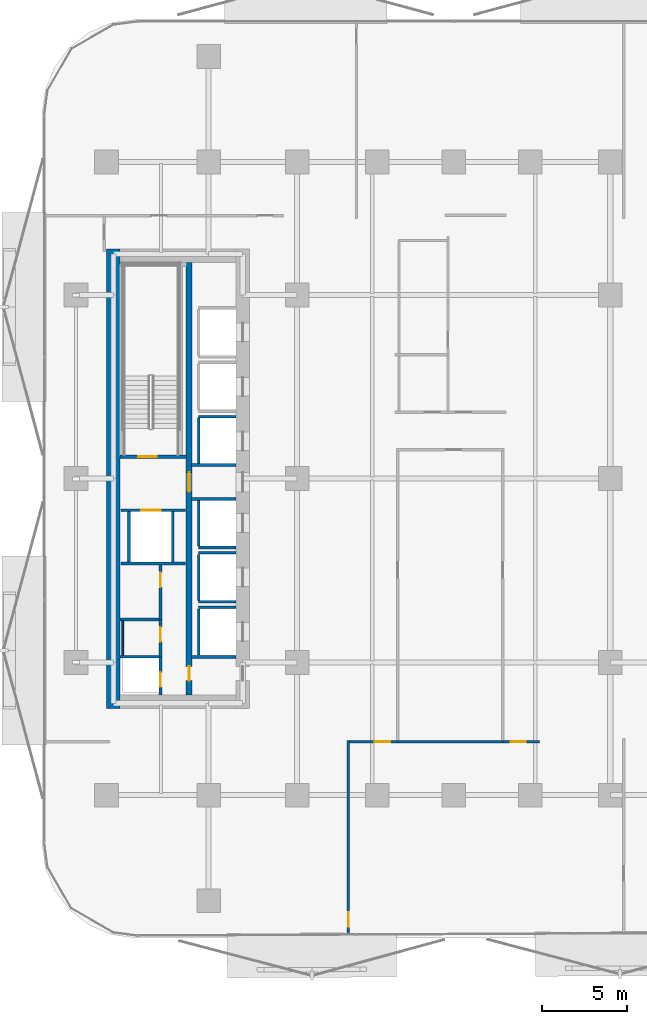
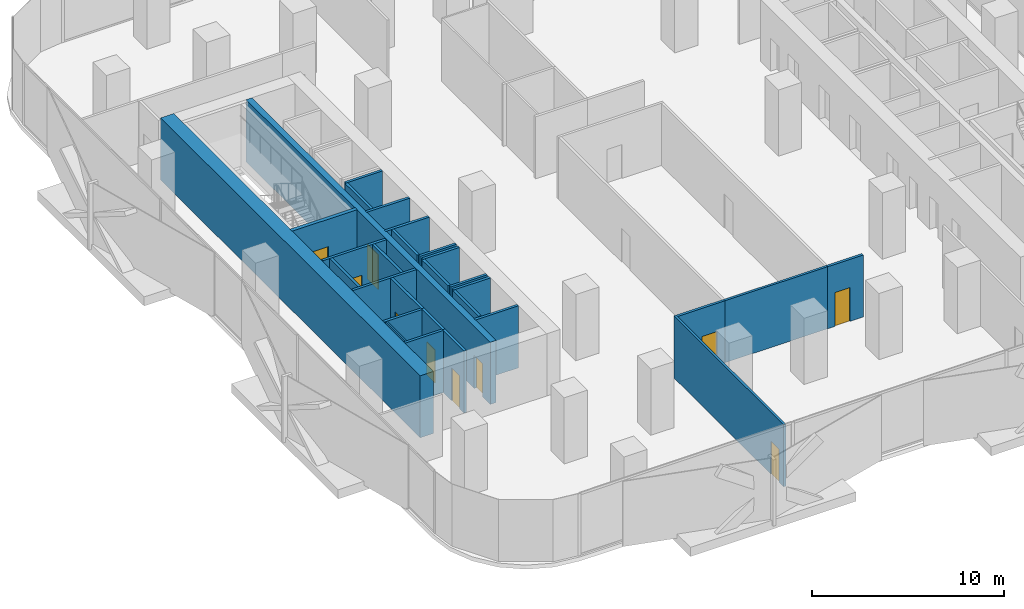
# One storey, part 3 of 16: 29 walls, 10 doors, 10 openings.
"""IFC4 building model written with IfcOpenShell, lengths in metres."""

from ifc_helpers import new_model, si_unit, direction, frame, frame_2d, origin, place, context, subcontext, project, spatial, rectangle, extrude, material, layer, layer_set, type_object, element, fill, save


model = new_model("IFC4")

# Units and contexts
model_context = context("Model", 3, precision=1e-05, world=origin(), true_north=direction((0.0, 1.0)))
body_context = subcontext(model_context, "Body", "Model", "MODEL_VIEW")
ifc_project = project(units=[si_unit("LENGTHUNIT", "METRE"), si_unit("AREAUNIT", "SQUARE_METRE"), si_unit("VOLUMEUNIT", "CUBIC_METRE"), si_unit("PLANEANGLEUNIT", "RADIAN"), si_unit("MASSUNIT", "GRAM", prefix="KILO")], contexts=[model_context])

# Site, building, storey
site_placement = place(None, origin())
site = spatial("IfcSite", under=ifc_project, at=site_placement, CompositionType="ELEMENT")
building_placement = place(site_placement, origin())
building = spatial("IfcBuilding", under=site, at=building_placement, Name="Khairoan Windgate Tower", CompositionType="ELEMENT")
storey_placement = place(building_placement, frame((0.0, 0.0, 42.800048828125)))
storey = spatial("IfcBuildingStorey", under=building, at=storey_placement, Name="L10", CompositionType="ELEMENT", Elevation=42.800048828125)

# Walls
ifc_material_1 = material(Name="Moisture-Resistant Gypsum Partition", Category="gypsum")
ifc_layer_1 = layer(ifc_material_1, 0.10009765625, Name="Moisture-Resistant Gypsum Partition")
ifc_layer_set_1 = layer_set([ifc_layer_1], Name="Moisture-Resistant Gypsum Partition")
wall_type_1 = type_object("IfcWallType", Name="Bathroom Wet-Area Partition Wall", PredefinedType="PARTITIONING", material=ifc_layer_set_1)
wall_1_placement = place(storey_placement, frame((-19.449951171875, -10.389892578125, 0.0), z_axis=(0.0, 0.0, 1.0), x_axis=(0.0, 1.0, 0.0)))
element("IfcWall", 1, at=wall_1_placement, inside=storey, type_object=wall_type_1, Name="L10 Wet Room Side Wall 038", PredefinedType="PARTITIONING", context=body_context, shape_type="SweptSolid", body=[
    extrude(rectangle(XDim=2.039794921875, YDim=0.10009765625, at=frame_2d((1.02001953125, 0.0))), origin(), (0.0, 0.0, 1.0), 3.93994140625),
])
ifc_material_2 = material(Name="Concrete C40/50", Category="concrete")
ifc_layer_2 = layer(ifc_material_2, 0.159912109375, Name="Concrete C40/50")
ifc_layer_set_2 = layer_set([ifc_layer_2], Name="Concrete C40/50")
wall_type_2 = type_object("IfcWallType", Name="Core and Hoistway Enclosure Wall", PredefinedType="STANDARD", material=ifc_layer_set_2)
wall_2_placement = place(storey_placement, frame((-14.989990234375, 3.639892578125, 0.0), z_axis=(0.0, 0.0, 1.0), x_axis=(1.0, 0.0, 0.0)))
element("IfcWall", 2, at=wall_2_placement, inside=storey, type_object=wall_type_2, Name="L10 Lift PL3 Hoistway Divider N", PredefinedType="STANDARD", context=body_context, shape_type="SweptSolid", body=[
    extrude(rectangle(XDim=2.18994140625, YDim=0.159912109375, at=frame_2d((1.094970703125, 0.0))), origin(), (0.0, 0.0, 1.0), 3.93994140625),
])
wall_3_placement = place(storey_placement, frame((-14.989990234375, 0.85009765625, 0.0), z_axis=(0.0, 0.0, 1.0), x_axis=(0.0, 1.0, 0.0)))
element("IfcWall", 3, at=wall_3_placement, inside=storey, type_object=wall_type_2, Name="L10 Lift PL3 Hoistway Back Wall", PredefinedType="STANDARD", context=body_context, shape_type="SweptSolid", body=[
    extrude(rectangle(XDim=2.699951171875, YDim=0.159912109375, at=frame_2d((1.35009765625, 0.0))), origin(), (0.0, 0.0, 1.0), 3.93994140625),
])
wall_4_placement = place(storey_placement, frame((-14.989990234375, -4.0400390625, 0.0), z_axis=(0.0, 0.0, 1.0), x_axis=(1.0, 0.0, 0.0)))
element("IfcWall", 4, at=wall_4_placement, inside=storey, type_object=wall_type_2, Name="L10 Lift PL4 Hoistway Divider S", PredefinedType="STANDARD", context=body_context, shape_type="SweptSolid", body=[
    extrude(rectangle(XDim=2.18994140625, YDim=0.159912109375, at=frame_2d((1.094970703125, 0.0))), origin(), (0.0, 0.0, 1.0), 3.93994140625),
])
wall_5_placement = place(storey_placement, frame((-14.989990234375, -3.949951171875, 0.0), z_axis=(0.0, 0.0, 1.0), x_axis=(0.0, 1.0, 0.0)))
element("IfcWall", 5, at=wall_5_placement, inside=storey, type_object=wall_type_2, Name="L10 Lift PL4 Hoistway Back Wall", PredefinedType="STANDARD", context=body_context, shape_type="SweptSolid", body=[
    extrude(rectangle(XDim=2.699951171875, YDim=0.159912109375, at=frame_2d((1.35009765625, 0.0))), origin(), (0.0, 0.0, 1.0), 3.93994140625),
])
for number, where, z_axis, x_axis, name in (
    (6, (-14.989990234375, -7.239990234375, 0.0), (0.0, 0.0, 1.0), (1.0, 0.0, 0.0), "L10 Lift PL5 Hoistway Divider S"),
    (7, (-14.989990234375, -4.360107421875, 0.0), (0.0, 0.0, 1.0), (1.0, 0.0, 0.0), "L10 Lift PL5 Hoistway Divider N"),
):
    element("IfcWall", number, at=place(storey_placement, frame(where, z_axis=z_axis, x_axis=x_axis)), inside=storey, type_object=wall_type_2, Name=name, PredefinedType="STANDARD", context=body_context, shape_type="SweptSolid", body=[
        extrude(rectangle(XDim=2.18994140625, YDim=0.159912109375, at=frame_2d((1.094970703125, 0.0))), origin(), (0.0, 0.0, 1.0), 3.93994140625),
    ])
wall_6_placement = place(storey_placement, frame((-14.989990234375, -7.14990234375, 0.0), z_axis=(0.0, 0.0, 1.0), x_axis=(0.0, 1.0, 0.0)))
element("IfcWall", 8, at=wall_6_placement, inside=storey, type_object=wall_type_2, Name="L10 Lift PL5 Hoistway Back Wall", PredefinedType="STANDARD", context=body_context, shape_type="SweptSolid", body=[
    extrude(rectangle(XDim=2.699951171875, YDim=0.159912109375, at=frame_2d((1.35009765625, 0.0))), origin(), (0.0, 0.0, 1.0), 3.93994140625),
])
wall_7_placement = place(storey_placement, frame((-14.989990234375, -7.56005859375, 0.0), z_axis=(0.0, 0.0, 1.0), x_axis=(1.0, 0.0, 0.0)))
element("IfcWall", 9, at=wall_7_placement, inside=storey, type_object=wall_type_2, Name="L10 Lift PL6 Hoistway Divider N", PredefinedType="STANDARD", context=body_context, shape_type="SweptSolid", body=[
    extrude(rectangle(XDim=2.18994140625, YDim=0.159912109375, at=frame_2d((1.094970703125, 0.0))), origin(), (0.0, 0.0, 1.0), 3.93994140625),
])
wall_8_placement = place(storey_placement, frame((-14.989990234375, -10.35009765625, 0.0), z_axis=(0.0, 0.0, 1.0), x_axis=(0.0, 1.0, 0.0)))
element("IfcWall", 10, at=wall_8_placement, inside=storey, type_object=wall_type_2, Name="L10 Lift PL6 Hoistway Back Wall", PredefinedType="STANDARD", context=body_context, shape_type="SweptSolid", body=[
    extrude(rectangle(XDim=2.7001953125, YDim=0.159912109375, at=frame_2d((1.35009765625, 0.0))), origin(), (0.0, 0.0, 1.0), 3.93994140625),
])

# Wall, opening, door
wall_9_placement = place(storey_placement, frame((-19.550048828125, -1.860107421875, 0.0), z_axis=(0.0, 0.0, 1.0), x_axis=(1.0, 0.0, 0.0)))
wall_9 = element("IfcWall", 11, at=wall_9_placement, inside=storey, type_object=wall_type_2, Name="L10 Core Shaft Wall SW-FL2-L10", PredefinedType="STANDARD", context=body_context, shape_type="SweptSolid", body=[
    extrude(rectangle(XDim=3.800048828125, YDim=0.159912109375, at=frame_2d((1.89990234375, 0.0))), origin(), (0.0, 0.0, 1.0), 3.93994140625),
])
opening_1_placement = place(wall_9_placement, frame((1.179931640625, 0.0, 0.0)))
opening_1 = element("IfcOpeningElement", 12, at=opening_1_placement, cuts=wall_9, Name="Opening LD-FL", PredefinedType="OPENING", context=body_context, shape_type="SweptSolid", body=[
    extrude(rectangle(XDim=1.14990234375, YDim=2.199951171875, at=frame_2d((0.574951171875, 1.10009765625))), frame((0.0, 0.08984375, 0.0), z_axis=(0.0, -1.0, 0.0), x_axis=(1.0, 0.0, 0.0)), (0.0, 0.0, 1.0), 0.179931640625),
])
ifc_material_3 = material(Name="Steel S355", Category="steel")
door_type_1 = type_object("IfcDoorType", Name="Firefighting Lift Sliding Landing Door LD-FL 1150x2200", OperationType="DOUBLE_DOOR_SLIDING", PredefinedType="DOOR", material=ifc_material_3)
door_1_placement = place(opening_1_placement, origin())
door_1 = element("IfcDoor", 13, at=door_1_placement, inside=storey, type_object=door_type_1, Name="L10 Firefighting Lift FL2 Landing Door", OperationType="DOUBLE_DOOR_SLIDING", OverallHeight=2.199951171875, OverallWidth=1.14990234375, PredefinedType="DOOR", context=body_context, shape_type="SweptSolid", body=[
    extrude(rectangle(XDim=1.14990234375, YDim=2.199951171875, at=frame_2d((0.574951171875, 1.10009765625))), frame((0.0, 0.02490234375, 0.0), z_axis=(0.0, -1.0, 0.0), x_axis=(1.0, 0.0, 0.0)), (0.0, 0.0, 1.0), 0.050048828125),
])
fill(opening_1, door_1)

# Walls
wall_10_placement = place(storey_placement, frame((-19.550048828125, -4.97998046875, 0.0), z_axis=(0.0, 0.0, 1.0), x_axis=(1.0, 0.0, 0.0)))
element("IfcWall", 14, at=wall_10_placement, inside=storey, type_object=wall_type_2, Name="L10 Core Shaft Wall SW-FL2B-L10", PredefinedType="STANDARD", context=body_context, shape_type="SweptSolid", body=[
    extrude(rectangle(XDim=3.800048828125, YDim=0.159912109375, at=frame_2d((1.89990234375, 0.0))), origin(), (0.0, 0.0, 1.0), 3.93994140625),
])
for number, where, z_axis, x_axis, name in (
    (15, (-19.080078125, -4.89990234375, 0.0), (0.0, 0.0, 1.0), (0.0, 1.0, 0.0), "L10 Core Shaft Wall SW-FL2W-L10"),
    (16, (-16.52001953125, -4.89990234375, 0.0), (0.0, 0.0, 1.0), (0.0, 1.0, 0.0), "L10 Core Shaft Wall SW-FL2E-L10"),
):
    element("IfcWall", number, at=place(storey_placement, frame(where, z_axis=z_axis, x_axis=x_axis)), inside=storey, type_object=wall_type_2, Name=name, PredefinedType="STANDARD", context=body_context, shape_type="SweptSolid", body=[
        extrude(rectangle(XDim=2.9599609375, YDim=0.159912109375, at=frame_2d((1.47998046875, 0.0))), origin(), (0.0, 0.0, 1.0), 3.93994140625),
    ])
for number, where, z_axis, x_axis, name in (
    (17, (-15.39990234375, 0.800048828125, 0.0), (0.0, 0.0, 1.0), (1.0, 0.0, 0.0), "L10 Core Shaft Wall SW-WV1-L10"),
    (18, (-15.39990234375, -1.199951171875, 0.0), (0.0, 0.0, 1.0), (1.0, 0.0, 0.0), "L10 Core Shaft Wall SW-WV2-L10"),
    (19, (-15.39990234375, -10.47998046875, 0.0), (0.0, 0.0, 1.0), (1.0, 0.0, 0.0), "L10 Core Shaft Wall SW-WSV-L10"),
):
    element("IfcWall", number, at=place(storey_placement, frame(where, z_axis=z_axis, x_axis=x_axis)), inside=storey, type_object=wall_type_2, Name=name, PredefinedType="STANDARD", context=body_context, shape_type="SweptSolid", body=[
        extrude(rectangle(XDim=2.599853515625, YDim=0.159912109375, at=frame_2d((1.2998046875, 0.0))), origin(), (0.0, 0.0, 1.0), 3.93994140625),
    ])

# Wall, opening, door
ifc_material_4 = material(Name="Acoustic Fire-Rated Gypsum Partition", Category="gypsum")
ifc_layer_3 = layer(ifc_material_4, 0.139892578125, Name="Acoustic Fire-Rated Gypsum Partition")
ifc_layer_set_3 = layer_set([ifc_layer_3], Name="Acoustic Fire-Rated Gypsum Partition")
wall_type_3 = type_object("IfcWallType", Name="Inter-Tenancy Compartment Wall", PredefinedType="PARTITIONING", material=ifc_layer_set_3)
wall_11_placement = place(storey_placement, frame((-6.18798828125, -26.794921875, 0.0), z_axis=(0.0, 0.0, 1.0), x_axis=(0.0, 1.0, 0.0)))
wall_11 = element("IfcWall", 20, at=wall_11_placement, inside=storey, type_object=wall_type_3, Name="L10 Interior Partition 032", PredefinedType="PARTITIONING", context=body_context, shape_type="SweptSolid", body=[
    extrude(rectangle(XDim=11.409912109375, YDim=0.139892578125, at=frame_2d((5.705078125, 0.0))), origin(), (0.0, 0.0, 1.0), 3.93994140625),
])
opening_2_placement = place(wall_11_placement, frame((0.4599609375, 0.0, 0.0)))
opening_2 = element("IfcOpeningElement", 21, at=opening_2_placement, cuts=wall_11, Name="Opening FD-SRV", PredefinedType="OPENING", context=body_context, shape_type="SweptSolid", body=[
    extrude(rectangle(XDim=0.85009765625, YDim=2.10009765625, at=frame_2d((0.425048828125, 1.050048828125))), frame((0.0, 0.079833984375, 0.0), z_axis=(0.0, -1.0, 0.0), x_axis=(1.0, 0.0, 0.0)), (0.0, 0.0, 1.0), 0.159912109375),
])
ifc_material_5 = material(Name="Steel S355", Category="steel")
door_type_2 = type_object("IfcDoorType", Name="Core Service and Riser Fire Door FD-SRV 850x2100", OperationType="NOTDEFINED", PredefinedType="DOOR", material=ifc_material_5)
door_2_placement = place(opening_2_placement, origin())
door_2 = element("IfcDoor", 22, at=door_2_placement, inside=storey, type_object=door_type_2, Name="L10 L10-44-L10-45 Door", OperationType="SINGLE_SWING_LEFT", OverallHeight=2.10009765625, OverallWidth=0.85009765625, PredefinedType="DOOR", context=body_context, shape_type="SweptSolid", body=[
    extrude(rectangle(XDim=0.85009765625, YDim=2.10009765625, at=frame_2d((0.425048828125, 1.050048828125))), frame((0.0, 0.02490234375, 0.0), z_axis=(0.0, -1.0, 0.0), x_axis=(1.0, 0.0, 0.0)), (0.0, 0.0, 1.0), 0.050048828125),
])
fill(opening_2, door_2)

# Wall
wall_12_placement = place(storey_placement, frame((-3.284912109375, -15.4599609375, 0.0), z_axis=(0.0, 0.0, 1.0), x_axis=(1.0, 0.0, 0.0)))
element("IfcWall", 23, at=wall_12_placement, inside=storey, type_object=wall_type_3, Name="L10 Interior Partition 034", PredefinedType="PARTITIONING", context=body_context, shape_type="SweptSolid", body=[
    extrude(rectangle(XDim=6.169921875, YDim=0.139892578125, at=frame_2d((3.0849609375, 0.0))), origin(), (0.0, 0.0, 1.0), 3.93994140625),
])

# Wall, opening, door
ifc_material_6 = material(Name="Concrete C40/50", Category="concrete")
ifc_layer_4 = layer(ifc_material_6, 0.159912109375, Name="Concrete C40/50")
ifc_layer_set_4 = layer_set([ifc_layer_4], Name="Concrete C40/50")
wall_type_4 = type_object("IfcWallType", Name="Plant and Refuge Compartment Wall", PredefinedType="PARTITIONING", material=ifc_layer_set_4)
wall_13_placement = place(storey_placement, frame((-17.22998046875, -12.699951171875, 0.0), z_axis=(0.0, 0.0, 1.0), x_axis=(0.0, 1.0, 0.0)))
wall_13 = element("IfcWall", 24, at=wall_13_placement, inside=storey, type_object=wall_type_4, Name="L10 Interior Partition 001", PredefinedType="PARTITIONING", context=body_context, shape_type="SweptSolid", body=[
    extrude(rectangle(XDim=2.22998046875, YDim=0.159912109375, at=frame_2d((1.114990234375, 0.0))), origin(), (0.0, 0.0, 1.0), 3.93994140625),
])
opening_3_placement = place(wall_13_placement, frame((0.4599609375, 0.0, 0.0)))
opening_3 = element("IfcOpeningElement", 25, at=opening_3_placement, cuts=wall_13, Name="Opening FD-SRV", PredefinedType="OPENING", context=body_context, shape_type="SweptSolid", body=[
    extrude(rectangle(XDim=0.85009765625, YDim=2.10009765625, at=frame_2d((0.425048828125, 1.050048828125))), frame((0.0, 0.08984375, 0.0), z_axis=(0.0, -1.0, 0.0), x_axis=(1.0, 0.0, 0.0)), (0.0, 0.0, 1.0), 0.179931640625),
])
door_3_placement = place(opening_3_placement, origin())
door_3 = element("IfcDoor", 26, at=door_3_placement, inside=storey, type_object=door_type_2, Name="L10 L10-04-L10-05 Door", OperationType="SINGLE_SWING_RIGHT", OverallHeight=2.10009765625, OverallWidth=0.85009765625, PredefinedType="DOOR", context=body_context, shape_type="SweptSolid", body=[
    extrude(rectangle(XDim=0.85009765625, YDim=2.10009765625, at=frame_2d((0.425048828125, 1.050048828125))), frame((0.0, 0.02490234375, 0.0), z_axis=(0.0, -1.0, 0.0), x_axis=(1.0, 0.0, 0.0)), (0.0, 0.0, 1.0), 0.050048828125),
])
fill(opening_3, door_3)

wall_14_placement = place(storey_placement, frame((-17.22998046875, -10.469970703125, 0.0), z_axis=(0.0, 0.0, 1.0), x_axis=(0.0, 1.0, 0.0)))
wall_14 = element("IfcWall", 27, at=wall_14_placement, inside=storey, type_object=wall_type_4, Name="L10 Interior Partition 002", PredefinedType="PARTITIONING", context=body_context, shape_type="SweptSolid", body=[
    extrude(rectangle(XDim=2.199951171875, YDim=0.159912109375, at=frame_2d((1.10009765625, 0.0))), origin(), (0.0, 0.0, 1.0), 3.93994140625),
])
opening_4_placement = place(wall_14_placement, frame((0.889892578125, 0.0, 0.0)))
opening_4 = element("IfcOpeningElement", 28, at=opening_4_placement, cuts=wall_14, Name="Opening FD-SRV", PredefinedType="OPENING", context=body_context, shape_type="SweptSolid", body=[
    extrude(rectangle(XDim=0.85009765625, YDim=2.10009765625, at=frame_2d((0.425048828125, 1.050048828125))), frame((0.0, 0.08984375, 0.0), z_axis=(0.0, -1.0, 0.0), x_axis=(1.0, 0.0, 0.0)), (0.0, 0.0, 1.0), 0.179931640625),
])
door_4_placement = place(opening_4_placement, origin())
door_4 = element("IfcDoor", 29, at=door_4_placement, inside=storey, type_object=door_type_2, Name="L10 L10-04-L10-06 Door", OperationType="SINGLE_SWING_LEFT", OverallHeight=2.10009765625, OverallWidth=0.85009765625, PredefinedType="DOOR", context=body_context, shape_type="SweptSolid", body=[
    extrude(rectangle(XDim=0.85009765625, YDim=2.10009765625, at=frame_2d((0.425048828125, 1.050048828125))), frame((0.0, 0.02490234375, 0.0), z_axis=(0.0, -1.0, 0.0), x_axis=(1.0, 0.0, 0.0)), (0.0, 0.0, 1.0), 0.050048828125),
])
fill(opening_4, door_4)

wall_15_placement = place(storey_placement, frame((-17.22998046875, -8.27001953125, 0.0), z_axis=(0.0, 0.0, 1.0), x_axis=(0.0, 1.0, 0.0)))
wall_15 = element("IfcWall", 30, at=wall_15_placement, inside=storey, type_object=wall_type_4, Name="L10 Interior Partition 003", PredefinedType="PARTITIONING", context=body_context, shape_type="SweptSolid", body=[
    extrude(rectangle(XDim=3.2099609375, YDim=0.159912109375, at=frame_2d((1.60498046875, 0.0))), origin(), (0.0, 0.0, 1.0), 3.93994140625),
])
opening_5_placement = place(wall_15_placement, frame((1.89990234375, 0.0, 0.0)))
opening_5 = element("IfcOpeningElement", 31, at=opening_5_placement, cuts=wall_15, Name="Opening FD-SRV", PredefinedType="OPENING", context=body_context, shape_type="SweptSolid", body=[
    extrude(rectangle(XDim=0.85009765625, YDim=2.10009765625, at=frame_2d((0.425048828125, 1.050048828125))), frame((0.0, 0.08984375, 0.0), z_axis=(0.0, -1.0, 0.0), x_axis=(1.0, 0.0, 0.0)), (0.0, 0.0, 1.0), 0.179931640625),
])
door_5_placement = place(opening_5_placement, origin())
door_5 = element("IfcDoor", 32, at=door_5_placement, inside=storey, type_object=door_type_2, Name="L10 L10-04-L10-07 Door", OperationType="SINGLE_SWING_RIGHT", OverallHeight=2.10009765625, OverallWidth=0.85009765625, PredefinedType="DOOR", context=body_context, shape_type="SweptSolid", body=[
    extrude(rectangle(XDim=0.85009765625, YDim=2.10009765625, at=frame_2d((0.425048828125, 1.050048828125))), frame((0.0, 0.02490234375, 0.0), z_axis=(0.0, -1.0, 0.0), x_axis=(1.0, 0.0, 0.0)), (0.0, 0.0, 1.0), 0.050048828125),
])
fill(opening_5, door_5)

# Walls
for number, where, z_axis, x_axis, name in (
    (33, (-19.60009765625, -10.469970703125, 0.0), (0.0, 0.0, 1.0), (1.0, 0.0, 0.0), "L10 Interior Partition 004"),
    (34, (-19.60009765625, -8.27001953125, 0.0), (0.0, 0.0, 1.0), (1.0, 0.0, 0.0), "L10 Interior Partition 005"),
):
    element("IfcWall", number, at=place(storey_placement, frame(where, z_axis=z_axis, x_axis=x_axis)), inside=storey, type_object=wall_type_4, Name=name, PredefinedType="PARTITIONING", context=body_context, shape_type="SweptSolid", body=[
        extrude(rectangle(XDim=2.2900390625, YDim=0.159912109375, at=frame_2d((1.14501953125, 0.0))), origin(), (0.0, 0.0, 1.0), 3.93994140625),
    ])

# Wall, opening, door
ifc_material_7 = material(Name="Acoustic Fire-Rated Gypsum Partition", Category="gypsum")
ifc_layer_5 = layer(ifc_material_7, 0.14990234375, Name="Acoustic Fire-Rated Gypsum Partition")
ifc_layer_set_5 = layer_set([ifc_layer_5], Name="Acoustic Fire-Rated Gypsum Partition")
wall_type_5 = type_object("IfcWallType", Name="Rated Corridor Partition Wall", PredefinedType="PARTITIONING", material=ifc_layer_set_5)
wall_16_placement = place(storey_placement, frame((-6.117919921875, -15.4599609375, 0.0), z_axis=(0.0, 0.0, 1.0), x_axis=(1.0, 0.0, 0.0)))
wall_16 = element("IfcWall", 35, at=wall_16_placement, inside=storey, type_object=wall_type_5, Name="L10 Interior Partition 017", PredefinedType="PARTITIONING", context=body_context, shape_type="SweptSolid", body=[
    extrude(rectangle(XDim=2.8330078125, YDim=0.14990234375, at=frame_2d((1.41650390625, 0.0))), origin(), (0.0, 0.0, 1.0), 3.93994140625),
])
opening_6_placement = place(wall_16_placement, frame((1.472900390625, 0.0, 0.0)))
opening_6 = element("IfcOpeningElement", 36, at=opening_6_placement, cuts=wall_16, Name="Opening FD-ENT", PredefinedType="OPENING", context=body_context, shape_type="SweptSolid", body=[
    extrude(rectangle(XDim=0.89990234375, YDim=2.14990234375, at=frame_2d((0.449951171875, 1.074951171875))), frame((0.0, 0.0849609375, 0.0), z_axis=(0.0, -1.0, 0.0), x_axis=(1.0, 0.0, 0.0)), (0.0, 0.0, 1.0), 0.169921875),
])
ifc_material_8 = material(Name="Timber Fire-Rated Core", Category="wood")
door_type_3 = type_object("IfcDoorType", Name="Unit and Office Fire Entrance Door FD-ENT 900x2150", OperationType="NOTDEFINED", PredefinedType="DOOR", material=ifc_material_8)
door_6_placement = place(opening_6_placement, origin())
door_6 = element("IfcDoor", 37, at=door_6_placement, inside=storey, type_object=door_type_3, Name="L10 L10-34-L10-45 Door", OperationType="SINGLE_SWING_RIGHT", OverallHeight=2.14990234375, OverallWidth=0.89990234375, PredefinedType="DOOR", context=body_context, shape_type="SweptSolid", body=[
    extrude(rectangle(XDim=0.89990234375, YDim=2.14990234375, at=frame_2d((0.449951171875, 1.074951171875))), frame((0.0, 0.02490234375, 0.0), z_axis=(0.0, -1.0, 0.0), x_axis=(1.0, 0.0, 0.0)), (0.0, 0.0, 1.0), 0.050048828125),
])
fill(opening_6, door_6)

wall_17_placement = place(storey_placement, frame((2.885009765625, -15.4599609375, 0.0), z_axis=(0.0, 0.0, 1.0), x_axis=(1.0, 0.0, 0.0)))
wall_17 = element("IfcWall", 38, at=wall_17_placement, inside=storey, type_object=wall_type_5, Name="L10 Interior Partition 019", PredefinedType="PARTITIONING", context=body_context, shape_type="SweptSolid", body=[
    extrude(rectangle(XDim=2.155029296875, YDim=0.14990234375, at=frame_2d((1.07763671875, 0.0))), origin(), (0.0, 0.0, 1.0), 3.93994140625),
])
opening_7_placement = place(wall_17_placement, frame((0.4599609375, 0.0, 0.0)))
opening_7 = element("IfcOpeningElement", 39, at=opening_7_placement, cuts=wall_17, Name="Opening FD-ENT", PredefinedType="OPENING", context=body_context, shape_type="SweptSolid", body=[
    extrude(rectangle(XDim=0.89990234375, YDim=2.14990234375, at=frame_2d((0.449951171875, 1.074951171875))), frame((0.0, 0.0849609375, 0.0), z_axis=(0.0, -1.0, 0.0), x_axis=(1.0, 0.0, 0.0)), (0.0, 0.0, 1.0), 0.169921875),
])
door_7_placement = place(opening_7_placement, origin())
door_7 = element("IfcDoor", 40, at=door_7_placement, inside=storey, type_object=door_type_3, Name="L10 L10-35-L10-45 Door", OperationType="SINGLE_SWING_RIGHT", OverallHeight=2.14990234375, OverallWidth=0.89990234375, PredefinedType="DOOR", context=body_context, shape_type="SweptSolid", body=[
    extrude(rectangle(XDim=0.89990234375, YDim=2.14990234375, at=frame_2d((0.449951171875, 1.074951171875))), frame((0.0, 0.02490234375, 0.0), z_axis=(0.0, -1.0, 0.0), x_axis=(1.0, 0.0, 0.0)), (0.0, 0.0, 1.0), 0.050048828125),
])
fill(opening_7, door_7)

# Wall
ifc_material_9 = material(Name="Concrete C70/85", Category="concrete")
ifc_layer_6 = layer(ifc_material_9, 0.800048828125, Name="Concrete C70/85")
ifc_layer_set_6 = layer_set([ifc_layer_6], Name="Concrete C70/85")
wall_type_6 = type_object("IfcWallType", Name="Shear Wall CW-W1 800mm", PredefinedType="SHEAR", material=ifc_layer_set_6)
wall_18_placement = place(storey_placement, frame((-20.0, -13.5, 0.0), z_axis=(0.0, 0.0, 1.0), x_axis=(0.0, 1.0, 0.0)))
element("IfcWall", 41, at=wall_18_placement, inside=storey, type_object=wall_type_6, Name="W Core West Shear Wall L10", PredefinedType="SHEAR", context=body_context, shape_type="SweptSolid", body=[
    extrude(rectangle(XDim=27.0, YDim=0.800048828125, at=frame_2d((13.5, 0.0))), origin(), (0.0, 0.0, 1.0), 3.93994140625),
])

# Wall, openings, doors
ifc_material_10 = material(Name="Concrete C60/75", Category="concrete")
ifc_layer_7 = layer(ifc_material_10, 0.35009765625, Name="Concrete C60/75")
ifc_layer_set_7 = layer_set([ifc_layer_7], Name="Concrete C60/75")
wall_type_7 = type_object("IfcWallType", Name="Shear Wall SW-1 350mm", PredefinedType="SHEAR", material=ifc_layer_set_7)
wall_19_placement = place(storey_placement, frame((-15.550048828125, -12.699951171875, 0.0), z_axis=(0.0, 0.0, 1.0), x_axis=(0.0, 1.0, 0.0)))
wall_19 = element("IfcWall", 42, at=wall_19_placement, inside=storey, type_object=wall_type_7, Name="W Core Spine Shear Wall L10", PredefinedType="SHEAR", context=body_context, shape_type="SweptSolid", body=[
    extrude(rectangle(XDim=25.39990234375, YDim=0.35009765625, at=frame_2d((12.699951171875, 0.0))), origin(), (0.0, 0.0, 1.0), 3.93994140625),
])
opening_8_placement = place(wall_19_placement, frame((11.925048828125, 0.0, 0.0)))
opening_8 = element("IfcOpeningElement", 43, at=opening_8_placement, cuts=wall_19, Name="Opening FD-FFL", PredefinedType="OPENING", context=body_context, shape_type="SweptSolid", body=[
    extrude(rectangle(XDim=1.14990234375, YDim=2.199951171875, at=frame_2d((0.574951171875, 1.10009765625))), frame((0.0, 0.18505859375, 0.0), z_axis=(0.0, -1.0, 0.0), x_axis=(1.0, 0.0, 0.0)), (0.0, 0.0, 1.0), 0.3701171875),
])
opening_9_placement = place(wall_19_placement, frame((0.824951171875, 0.0, 0.0)))
opening_9 = element("IfcOpeningElement", 44, at=opening_9_placement, cuts=wall_19, Name="Opening FD-SRV", PredefinedType="OPENING", context=body_context, shape_type="SweptSolid", body=[
    extrude(rectangle(XDim=0.85009765625, YDim=2.10009765625, at=frame_2d((0.425048828125, 1.050048828125))), frame((0.0, 0.18505859375, 0.0), z_axis=(0.0, -1.0, 0.0), x_axis=(1.0, 0.0, 0.0)), (0.0, 0.0, 1.0), 0.3701171875),
])
door_8_placement = place(opening_9_placement, origin())
door_8 = element("IfcDoor", 45, at=door_8_placement, inside=storey, type_object=door_type_2, Name="L10 West Core Service Passage Inner Door", OperationType="SINGLE_SWING_LEFT", OverallHeight=2.10009765625, OverallWidth=0.85009765625, PredefinedType="DOOR", context=body_context, shape_type="SweptSolid", body=[
    extrude(rectangle(XDim=0.85009765625, YDim=2.10009765625, at=frame_2d((0.425048828125, 1.050048828125))), frame((0.0, 0.02490234375, 0.0), z_axis=(0.0, -1.0, 0.0), x_axis=(1.0, 0.0, 0.0)), (0.0, 0.0, 1.0), 0.050048828125),
])
fill(opening_9, door_8)
ifc_material_11 = material(Name="Steel S355", Category="steel")
door_type_4 = type_object("IfcDoorType", Name="Firefighting Lobby Fire Door FD-FFL 1150x2200", OperationType="NOTDEFINED", PredefinedType="DOOR", material=ifc_material_11)
door_9_placement = place(opening_8_placement, origin())
door_9 = element("IfcDoor", 46, at=door_9_placement, inside=storey, type_object=door_type_4, Name="L10 West Firefighting Lobby Fire Door", OperationType="SINGLE_SWING_LEFT", OverallHeight=2.199951171875, OverallWidth=1.14990234375, PredefinedType="DOOR", context=body_context, shape_type="SweptSolid", body=[
    extrude(rectangle(XDim=1.14990234375, YDim=2.199951171875, at=frame_2d((0.574951171875, 1.10009765625))), frame((0.0, 0.02490234375, 0.0), z_axis=(0.0, -1.0, 0.0), x_axis=(1.0, 0.0, 0.0)), (0.0, 0.0, 1.0), 0.050048828125),
])
fill(opening_8, door_9)

# Wall, opening, door
ifc_material_12 = material(Name="Concrete C50/60", Category="concrete")
ifc_layer_8 = layer(ifc_material_12, 0.219970703125, Name="Concrete C50/60")
ifc_layer_set_8 = layer_set([ifc_layer_8], Name="Concrete C50/60")
wall_type_8 = type_object("IfcWallType", Name="Shear Wall SW-ST 220mm", PredefinedType="SHEAR", material=ifc_layer_set_8)
wall_20_placement = place(storey_placement, frame((-19.6201171875, 1.2900390625, 0.0), z_axis=(0.0, 0.0, 1.0), x_axis=(1.0, 0.0, 0.0)))
wall_20 = element("IfcWall", 47, at=wall_20_placement, inside=storey, type_object=wall_type_8, Name="L10 Stair ST2 South Bearing Wall", PredefinedType="SHEAR", context=body_context, shape_type="SweptSolid", body=[
    extrude(rectangle(XDim=3.9150390625, YDim=0.219970703125, at=frame_2d((1.95751953125, 0.0))), origin(), (0.0, 0.0, 1.0), 3.93994140625),
])
opening_10_placement = place(wall_20_placement, frame((1.080078125, 0.0, 0.0)))
opening_10 = element("IfcOpeningElement", 48, at=opening_10_placement, cuts=wall_20, Name="Opening FD-ST", PredefinedType="OPENING", context=body_context, shape_type="SweptSolid", body=[
    extrude(rectangle(XDim=1.10009765625, YDim=2.199951171875, at=frame_2d((0.550048828125, 1.10009765625))), frame((0.0, 0.119873046875, 0.0), z_axis=(0.0, -1.0, 0.0), x_axis=(1.0, 0.0, 0.0)), (0.0, 0.0, 1.0), 0.239990234375),
])
ifc_material_13 = material(Name="Steel S355", Category="steel")
door_type_5 = type_object("IfcDoorType", Name="Smokeproof Stair Fire Door FD-ST 1100x2200", OperationType="NOTDEFINED", PredefinedType="DOOR", material=ifc_material_13)
door_10_placement = place(opening_10_placement, origin())
door_10 = element("IfcDoor", 49, at=door_10_placement, inside=storey, type_object=door_type_5, Name="L10 Stair ST2 Fire Door", OperationType="SINGLE_SWING_RIGHT", OverallHeight=2.199951171875, OverallWidth=1.10009765625, PredefinedType="DOOR", context=body_context, shape_type="SweptSolid", body=[
    extrude(rectangle(XDim=1.10009765625, YDim=2.199951171875, at=frame_2d((0.550048828125, 1.10009765625))), frame((0.0, 0.02490234375, 0.0), z_axis=(0.0, -1.0, 0.0), x_axis=(1.0, 0.0, 0.0)), (0.0, 0.0, 1.0), 0.050048828125),
])
fill(opening_10, door_10)

save(model, "model.ifc")
